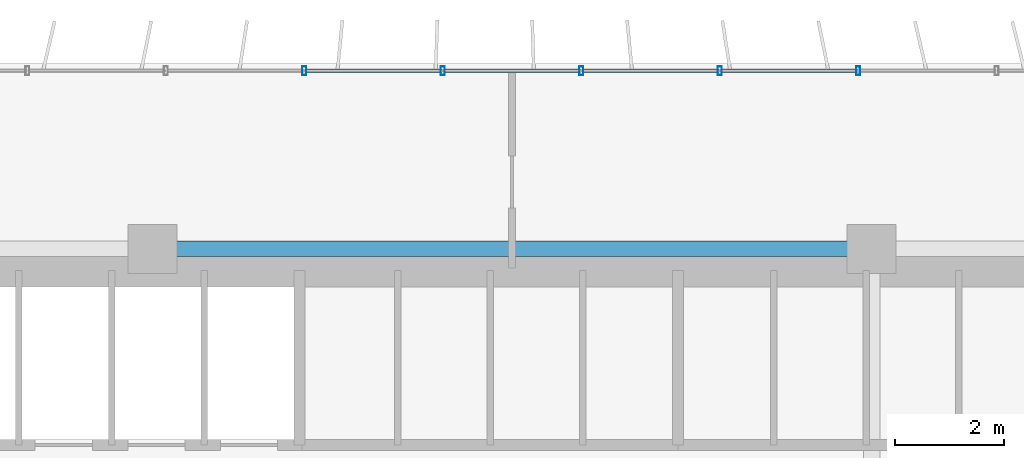
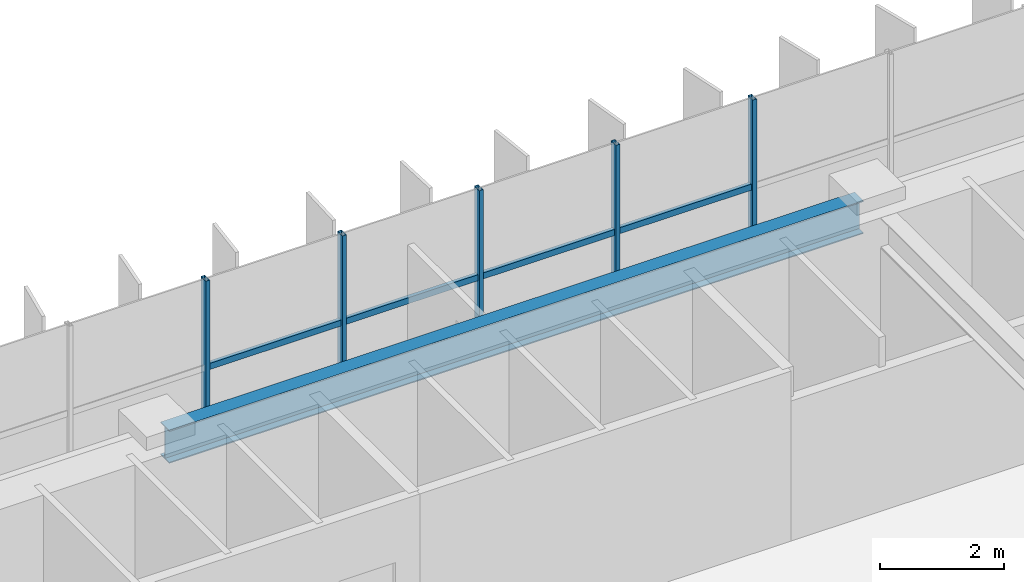
# One storey, part 8 of 26: 9 members, 1 beam, 1 element without a shape of its own.
"""IFC4 building model written with IfcOpenShell, lengths in metres."""

from ifc_helpers import new_model, si_unit, direction, frame, origin, origin_2d, place, context, subcontext, project, spatial, hollow_rectangle, i_section, extrude, source, transform, mapped, material, material_profile, profile_set, type_object, element, aggregate, save


model = new_model("IFC4")

# Units and contexts
model_context = context("Model", 3, precision=1e-05, world=origin(), true_north=direction((0.0, 1.0)))
body_context = subcontext(model_context, "Body", "Model", "MODEL_VIEW")
ifc_project = project(units=[si_unit("LENGTHUNIT", "METRE"), si_unit("AREAUNIT", "SQUARE_METRE"), si_unit("VOLUMEUNIT", "CUBIC_METRE"), si_unit("PLANEANGLEUNIT", "RADIAN"), si_unit("MASSUNIT", "GRAM", prefix="KILO")], contexts=[model_context])

# Site, building, storey
site_placement = place(None, origin())
site = spatial("IfcSite", under=ifc_project, at=site_placement, CompositionType="ELEMENT")
building_placement = place(site_placement, origin())
building = spatial("IfcBuilding", under=site, at=building_placement, Name="Trelvane Seafront Commons", CompositionType="ELEMENT")
storey_placement = place(building_placement, frame((0.0, 0.0, 23.5)))
storey = spatial("IfcBuildingStorey", under=building, at=storey_placement, Name="L05", CompositionType="ELEMENT", Elevation=23.5)

# Beam
ifc_material_1 = material(Name="Steel SM355 (S355)", Category="steel")
ifc_material_profile_1 = material_profile(ifc_material_1, i_section(OverallWidth=0.280029296875, OverallDepth=0.64990234375, WebThickness=0.012939453125, FlangeThickness=0.02197265625, at=origin_2d()), Name="H-650x280x13x22")
ifc_profile_set_1 = profile_set([ifc_material_profile_1], Name="Steel SM355 (S355)")
beam_type = type_object("IfcBeamType", Name="STR-BM-H650", PredefinedType="BEAM", material=ifc_profile_set_1)
shared_shape_1 = source(origin(), body_context, "Body", "SweptSolid", [
    extrude(i_section(OverallWidth=0.280029296875, OverallDepth=0.64990234375, WebThickness=0.012939453125, FlangeThickness=0.02197265625, at=origin_2d()), origin(), (0.0, 0.0, 1.0), 12.89990234375),
])
beam_placement = place(storey_placement, frame((30.75, 45.10009765625, 3.014892578125), z_axis=(1.0, 0.0, 0.0), x_axis=(0.0, 1.0, 0.0)))
element("IfcBeam", 1, at=beam_placement, inside=storey, type_object=beam_type, Name="L05 Primary Girder G-32", PredefinedType="BEAM", context=body_context, shape_type="MappedRepresentation", body=[
    mapped(shared_shape_1, transform((0.0, 0.0, 0.0), x_axis=(1.0, 0.0, 0.0), y_axis=(0.0, 1.0, 0.0), z_axis=(0.0, 0.0, 1.0), scale=1.0)),
])

# Curtain wall, members
ifc_material_2 = material(Name="Anodised pale-silver aluminium", Category="aluminium")
curtain_wall_type = type_object("IfcCurtainWallType", Name="ARCH-CW2-LOWTOWER", PredefinedType="NOTDEFINED", material=ifc_material_2)
curtain_wall_placement = place(storey_placement, origin())
curtain_wall = element("IfcCurtainWall", 2, at=curtain_wall_placement, inside=storey, type_object=curtain_wall_type, Name="CW-L05-0029", PredefinedType="NOTDEFINED")
ifc_material_profile_2 = material_profile(ifc_material_2, hollow_rectangle(XDim=0.074951171875, YDim=0.159912109375, WallThickness=0.00390625, at=origin_2d()), Name="MULL-75x160x4")
ifc_profile_set_2 = profile_set([ifc_material_profile_2], Name="Anodised pale-silver aluminium")
member_type_1 = type_object("IfcMemberType", Name="ARCH-CW-MULL-160", PredefinedType="MULLION", material=ifc_profile_set_2)
shared_shape_2 = source(origin(), body_context, "Body", "SweptSolid", [
    extrude(hollow_rectangle(XDim=0.074951171875, YDim=0.159912109375, WallThickness=0.00390625, at=origin_2d()), origin(), (0.0, 0.0, 1.0), 3.340087890625),
])
member_1_placement = place(storey_placement, frame((33.38818359375, 48.3701171875, 0.0), z_axis=(0.0, 0.0, 1.0), x_axis=(1.0, 0.0, 0.0)))
member_1 = element("IfcMember", 3, at=member_1_placement, type_object=member_type_1, Name="CW-L05-0029-M07", PredefinedType="MULLION", context=body_context, shape_type="MappedRepresentation", body=[
    mapped(shared_shape_2, transform((0.0, 0.0, 0.0), x_axis=(1.0, 0.0, 0.0), y_axis=(0.0, 1.0, 0.0), z_axis=(0.0, 0.0, 1.0), scale=1.0)),
])
member_2_placement = place(storey_placement, frame((35.929443359375, 48.3701171875, 0.0), z_axis=(0.0, 0.0, 1.0), x_axis=(1.0, 0.0, 0.0)))
member_2 = element("IfcMember", 4, at=member_2_placement, type_object=member_type_1, Name="CW-L05-0029-M08", PredefinedType="MULLION", context=body_context, shape_type="MappedRepresentation", body=[
    mapped(shared_shape_2, transform((0.0, 0.0, 0.0), x_axis=(1.0, 0.0, 0.0), y_axis=(0.0, 1.0, 0.0), z_axis=(0.0, 0.0, 1.0), scale=1.0)),
])
member_3_placement = place(storey_placement, frame((38.470703125, 48.3701171875, 0.0), z_axis=(0.0, 0.0, 1.0), x_axis=(1.0, 0.0, 0.0)))
member_3 = element("IfcMember", 5, at=member_3_placement, type_object=member_type_1, Name="CW-L05-0029-M09", PredefinedType="MULLION", context=body_context, shape_type="MappedRepresentation", body=[
    mapped(shared_shape_2, transform((0.0, 0.0, 0.0), x_axis=(1.0, 0.0, 0.0), y_axis=(0.0, 1.0, 0.0), z_axis=(0.0, 0.0, 1.0), scale=1.0)),
])
member_4_placement = place(storey_placement, frame((41.01171875, 48.3701171875, 0.0), z_axis=(0.0, 0.0, 1.0), x_axis=(1.0, 0.0, 0.0)))
member_4 = element("IfcMember", 6, at=member_4_placement, type_object=member_type_1, Name="CW-L05-0029-M10", PredefinedType="MULLION", context=body_context, shape_type="MappedRepresentation", body=[
    mapped(shared_shape_2, transform((0.0, 0.0, 0.0), x_axis=(1.0, 0.0, 0.0), y_axis=(0.0, 1.0, 0.0), z_axis=(0.0, 0.0, 1.0), scale=1.0)),
])
member_5_placement = place(storey_placement, frame((43.552978515625, 48.3701171875, 0.0), z_axis=(0.0, 0.0, 1.0), x_axis=(1.0, 0.0, 0.0)))
member_5 = element("IfcMember", 7, at=member_5_placement, type_object=member_type_1, Name="CW-L05-0029-M11", PredefinedType="MULLION", context=body_context, shape_type="MappedRepresentation", body=[
    mapped(shared_shape_2, transform((0.0, 0.0, 0.0), x_axis=(1.0, 0.0, 0.0), y_axis=(0.0, 1.0, 0.0), z_axis=(0.0, 0.0, 1.0), scale=1.0)),
])
ifc_material_profile_3 = material_profile(ifc_material_2, hollow_rectangle(XDim=0.070068359375, YDim=0.1201171875, WallThickness=0.00390625, at=origin_2d()), Name="TRAN-70x120x4")
ifc_profile_set_3 = profile_set([ifc_material_profile_3], Name="Anodised pale-silver aluminium")
member_type_2 = type_object("IfcMemberType", Name="ARCH-CW-TRAN-120", PredefinedType="USERDEFINED", material=ifc_profile_set_3)
shared_shape_3 = source(origin(), body_context, "Body", "SweptSolid", [
    extrude(hollow_rectangle(XDim=0.070068359375, YDim=0.1201171875, WallThickness=0.00390625, at=origin_2d()), origin(), (0.0, 0.0, 1.0), 2.51708984375),
])
member_6_placement = place(storey_placement, frame((35.94140625, 48.3701171875, 1.60302734375), z_axis=(1.0, 0.0, 0.0), x_axis=(0.0, 1.0, 0.0)))
member_6 = element("IfcMember", 8, at=member_6_placement, type_object=member_type_2, Name="CW-L05-0029-T08", ObjectType="TRANSOM", PredefinedType="USERDEFINED", context=body_context, shape_type="MappedRepresentation", body=[
    mapped(shared_shape_3, transform((0.0, 0.0, 0.0), x_axis=(1.0, 0.0, 0.0), y_axis=(0.0, 1.0, 0.0), z_axis=(0.0, 0.0, 1.0), scale=1.0)),
])
member_7_placement = place(storey_placement, frame((38.482666015625, 48.3701171875, 1.60302734375), z_axis=(1.0, 0.0, 0.0), x_axis=(0.0, 1.0, 0.0)))
member_7 = element("IfcMember", 9, at=member_7_placement, type_object=member_type_2, Name="CW-L05-0029-T09", ObjectType="TRANSOM", PredefinedType="USERDEFINED", context=body_context, shape_type="MappedRepresentation", body=[
    mapped(shared_shape_3, transform((0.0, 0.0, 0.0), x_axis=(1.0, 0.0, 0.0), y_axis=(0.0, 1.0, 0.0), z_axis=(0.0, 0.0, 1.0), scale=1.0)),
])
shared_shape_4 = source(origin(), body_context, "Body", "SweptSolid", [
    extrude(hollow_rectangle(XDim=0.070068359375, YDim=0.1201171875, WallThickness=0.00390625, at=origin_2d()), origin(), (0.0, 0.0, 1.0), 2.517333984375),
])
member_8_placement = place(storey_placement, frame((33.400146484375, 48.3701171875, 1.60302734375), z_axis=(1.0, 0.0, 0.0), x_axis=(0.0, 1.0, 0.0)))
member_8 = element("IfcMember", 10, at=member_8_placement, type_object=member_type_2, Name="CW-L05-0029-T07", ObjectType="TRANSOM", PredefinedType="USERDEFINED", context=body_context, shape_type="MappedRepresentation", body=[
    mapped(shared_shape_4, transform((0.0, 0.0, 0.0), x_axis=(1.0, 0.0, 0.0), y_axis=(0.0, 1.0, 0.0), z_axis=(0.0, 0.0, 1.0), scale=1.0)),
])
member_9_placement = place(storey_placement, frame((41.023681640625, 48.3701171875, 1.60302734375), z_axis=(1.0, 0.0, 0.0), x_axis=(0.0, 1.0, 0.0)))
member_9 = element("IfcMember", 11, at=member_9_placement, type_object=member_type_2, Name="CW-L05-0029-T10", ObjectType="TRANSOM", PredefinedType="USERDEFINED", context=body_context, shape_type="MappedRepresentation", body=[
    mapped(shared_shape_4, transform((0.0, 0.0, 0.0), x_axis=(1.0, 0.0, 0.0), y_axis=(0.0, 1.0, 0.0), z_axis=(0.0, 0.0, 1.0), scale=1.0)),
])
aggregate(curtain_wall, [member_1, member_2, member_3, member_4, member_5, member_8, member_6, member_7, member_9])

save(model, "model.ifc")
